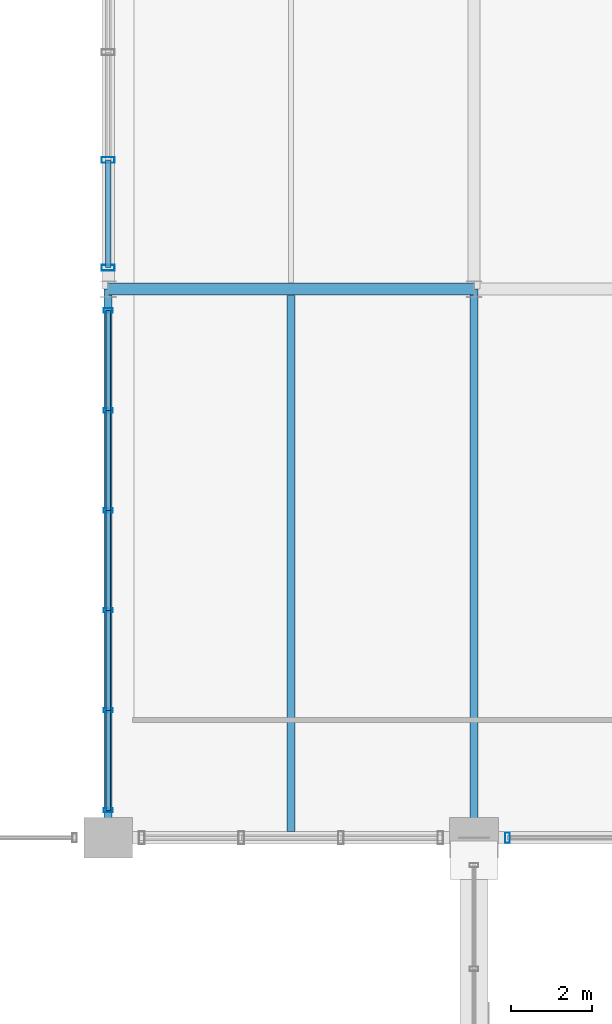
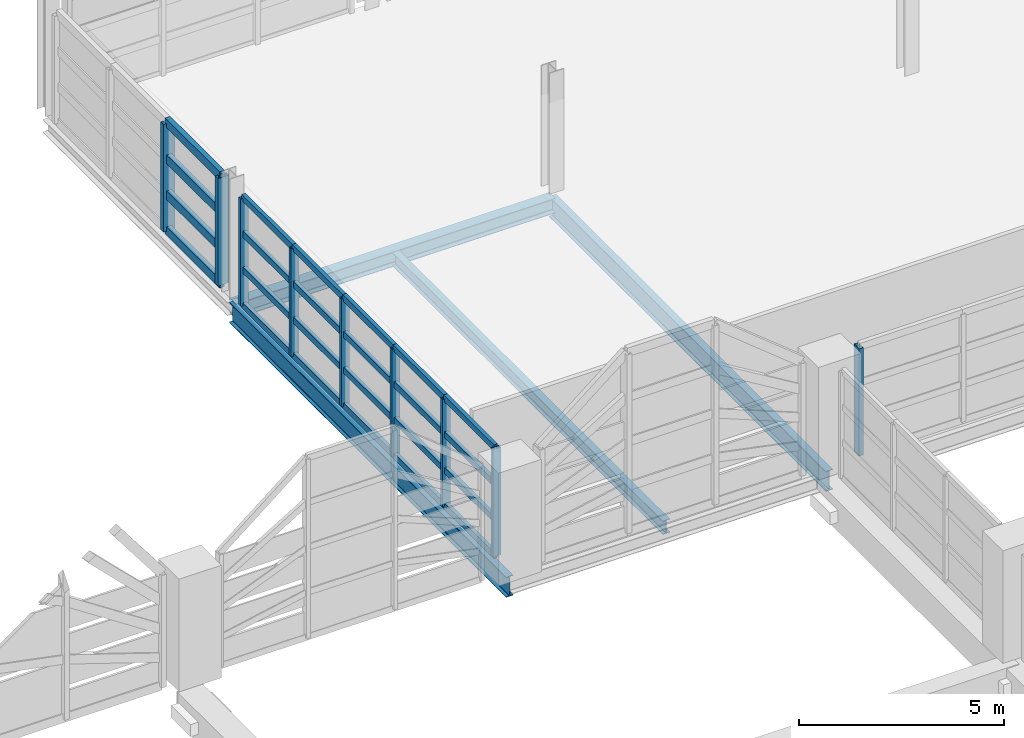
# One storey, part 55 of 116: 33 members, 4 beams, 3 elements without a shape of their own.
"""IFC4 building model written with IfcOpenShell, lengths in metres."""

from ifc_helpers import new_model, si_unit, direction, frame, origin, origin_2d, place, context, subcontext, project, spatial, hollow_rectangle, i_section, extrude, material, material_profile, profile_set, type_object, element, aggregate, save


model = new_model("IFC4")

# Units and contexts
model_context = context("Model", 3, precision=1e-05, world=origin(), true_north=direction((0.0, 1.0)))
body_context = subcontext(model_context, "Body", "Model", "MODEL_VIEW")
ifc_project = project(units=[si_unit("LENGTHUNIT", "METRE"), si_unit("AREAUNIT", "SQUARE_METRE"), si_unit("VOLUMEUNIT", "CUBIC_METRE"), si_unit("PLANEANGLEUNIT", "RADIAN"), si_unit("MASSUNIT", "GRAM", prefix="KILO")], contexts=[model_context])

# Site, building, storey
site_placement = place(None, origin())
site = spatial("IfcSite", under=ifc_project, at=site_placement, CompositionType="ELEMENT")
building_placement = place(site_placement, origin())
building = spatial("IfcBuilding", under=site, at=building_placement, Name="Chuanluo Vaults Station", CompositionType="ELEMENT")
storey_placement = place(building_placement, frame((0.0, 0.0, 10.800048828125)))
storey = spatial("IfcBuildingStorey", under=building, at=storey_placement, Name="L02", CompositionType="ELEMENT", Elevation=10.800048828125)

# Beams
ifc_material_1 = material(Name="Steel Q355C", Category="steel")
ifc_material_profile_1 = material_profile(ifc_material_1, i_section(OverallWidth=0.300048828125, OverallDepth=0.43994140625, WebThickness=0.010986328125, FlangeThickness=0.01806640625, FilletRadius=0.02001953125, at=origin_2d()))
ifc_profile_set_1 = profile_set([ifc_material_profile_1], Name="Steel Q355C")
beam_type_1 = type_object("IfcBeamType", Name="BM-GRD-450", PredefinedType="USERDEFINED", material=ifc_profile_set_1)
beam_1_placement = place(storey_placement, frame((117.0, 117.0, -0.43994140625), z_axis=(1.0, 0.0, 0.0), x_axis=(0.0, 1.0, 0.0)))
element("IfcBeam", 1, at=beam_1_placement, inside=storey, type_object=beam_type_1, Name="Floor girder BM:GX:L02:0605", ObjectType="GIRDER", PredefinedType="USERDEFINED", context=body_context, shape_type="SweptSolid", body=[
    extrude(i_section(OverallWidth=0.300048828125, OverallDepth=0.43994140625, WebThickness=0.010986328125, FlangeThickness=0.01806640625, FilletRadius=0.02001953125, at=origin_2d()), origin(), (0.0, 0.0, 1.0), 9.0),
])
ifc_material_2 = material(Name="Steel Q355C", Category="steel")
ifc_material_profile_2 = material_profile(ifc_material_2, i_section(OverallWidth=0.199951171875, OverallDepth=0.60009765625, WebThickness=0.010986328125, FlangeThickness=0.01708984375, FilletRadius=0.01806640625, at=origin_2d()))
ifc_profile_set_2 = profile_set([ifc_material_profile_2], Name="Steel Q355C")
beam_type_2 = type_object("IfcBeamType", Name="BM-GRD-600", PredefinedType="USERDEFINED", material=ifc_profile_set_2)
for number, where, z_axis, x_axis, name in (
    (2, (117.0, 103.5, -0.52001953125), (0.0, 1.0, 0.0), (-1.0, 0.0, 0.0), "Floor girder BM:GY:L02:0630"),
    (3, (126.0, 103.5, -0.52001953125), (0.0, 1.0, 0.0), (-1.0, 0.0, 0.0), "Floor girder BM:GY:L02:0632"),
):
    element("IfcBeam", number, at=place(storey_placement, frame(where, z_axis=z_axis, x_axis=x_axis)), inside=storey, type_object=beam_type_2, Name=name, ObjectType="GIRDER", PredefinedType="USERDEFINED", context=body_context, shape_type="SweptSolid", body=[
        extrude(i_section(OverallWidth=0.199951171875, OverallDepth=0.60009765625, WebThickness=0.010986328125, FlangeThickness=0.01708984375, FilletRadius=0.01806640625, at=origin_2d()), origin(), (0.0, 0.0, 1.0), 13.5),
    ])
ifc_material_3 = material(Name="Steel Q355C", Category="steel")
ifc_material_profile_3 = material_profile(ifc_material_3, i_section(OverallWidth=0.199951171875, OverallDepth=0.39990234375, WebThickness=0.008056640625, FlangeThickness=0.012939453125, FilletRadius=0.01611328125, at=origin_2d()))
ifc_profile_set_3 = profile_set([ifc_material_profile_3], Name="Steel Q355C")
beam_type_3 = type_object("IfcBeamType", Name="BM-SEC-400", PredefinedType="BEAM", material=ifc_profile_set_3)
beam_2_placement = place(storey_placement, frame((121.5, 103.655029296875, -0.420166015625), z_axis=(0.0, 1.0, 0.0), x_axis=(-1.0, 0.0, 0.0)))
element("IfcBeam", 4, at=beam_2_placement, inside=storey, type_object=beam_type_3, Name="Composite secondary joist 0189", PredefinedType="BEAM", context=body_context, shape_type="SweptSolid", body=[
    extrude(i_section(OverallWidth=0.199951171875, OverallDepth=0.39990234375, WebThickness=0.008056640625, FlangeThickness=0.012939453125, FilletRadius=0.01611328125, at=origin_2d()), origin(), (0.0, 0.0, 1.0), 13.18994140625),
])

# Curtain wall, members
ifc_material_4 = material(Name="Anodised aluminium 6063-T6", Category="aluminium")
curtain_wall_type_1 = type_object("IfcCurtainWallType", Name="CW-SYS-08", PredefinedType="NOTDEFINED", material=ifc_material_4)
curtain_wall_1_placement = place(storey_placement, origin())
curtain_wall_1 = element("IfcCurtainWall", 5, at=curtain_wall_1_placement, inside=storey, type_object=curtain_wall_type_1, Name="Operations L02 facade CW", PredefinedType="NOTDEFINED")
ifc_material_5 = material(Name="Anodised aluminium 6063-T6", Category="aluminium")
ifc_material_profile_4 = material_profile(ifc_material_5, hollow_rectangle(XDim=0.10498046875, YDim=0.219970703125, WallThickness=0.006103515625, at=origin_2d()))
ifc_profile_set_4 = profile_set([ifc_material_profile_4], Name="Anodised aluminium 6063-T6")
member_type_1 = type_object("IfcMemberType", Name="CWM-140", PredefinedType="MULLION", material=ifc_profile_set_4)
member_1_placement = place(storey_placement, frame((117.0, 104.175048828125, 0.0), z_axis=(0.0, 0.0, 1.0), x_axis=(0.0, 1.0, 0.0)))
member_1 = element("IfcMember", 6, at=member_1_placement, type_object=member_type_1, Name="Operations L02 facade CW mullion 1", PredefinedType="MULLION", context=body_context, shape_type="SweptSolid", body=[
    extrude(hollow_rectangle(XDim=0.10498046875, YDim=0.219970703125, WallThickness=0.006103515625, at=origin_2d()), origin(), (0.0, 0.0, 1.0), 3.199951171875),
])
member_2_placement = place(storey_placement, frame((117.0, 106.635009765625, 0.0), z_axis=(0.0, 0.0, 1.0), x_axis=(0.0, 1.0, 0.0)))
member_2 = element("IfcMember", 7, at=member_2_placement, type_object=member_type_1, Name="Operations L02 facade CW mullion 2", PredefinedType="MULLION", context=body_context, shape_type="SweptSolid", body=[
    extrude(hollow_rectangle(XDim=0.10498046875, YDim=0.219970703125, WallThickness=0.006103515625, at=origin_2d()), origin(), (0.0, 0.0, 1.0), 3.199951171875),
])
member_3_placement = place(storey_placement, frame((117.0, 109.094970703125, 0.0), z_axis=(0.0, 0.0, 1.0), x_axis=(0.0, 1.0, 0.0)))
member_3 = element("IfcMember", 8, at=member_3_placement, type_object=member_type_1, Name="Operations L02 facade CW mullion 3", PredefinedType="MULLION", context=body_context, shape_type="SweptSolid", body=[
    extrude(hollow_rectangle(XDim=0.10498046875, YDim=0.219970703125, WallThickness=0.006103515625, at=origin_2d()), origin(), (0.0, 0.0, 1.0), 3.199951171875),
])
member_4_placement = place(storey_placement, frame((117.0, 111.554931640625, 0.0), z_axis=(0.0, 0.0, 1.0), x_axis=(0.0, 1.0, 0.0)))
member_4 = element("IfcMember", 9, at=member_4_placement, type_object=member_type_1, Name="Operations L02 facade CW mullion 4", PredefinedType="MULLION", context=body_context, shape_type="SweptSolid", body=[
    extrude(hollow_rectangle(XDim=0.10498046875, YDim=0.219970703125, WallThickness=0.006103515625, at=origin_2d()), origin(), (0.0, 0.0, 1.0), 3.199951171875),
])
member_5_placement = place(storey_placement, frame((117.0, 114.014892578125, 0.0), z_axis=(0.0, 0.0, 1.0), x_axis=(0.0, 1.0, 0.0)))
member_5 = element("IfcMember", 10, at=member_5_placement, type_object=member_type_1, Name="Operations L02 facade CW mullion 5", PredefinedType="MULLION", context=body_context, shape_type="SweptSolid", body=[
    extrude(hollow_rectangle(XDim=0.10498046875, YDim=0.219970703125, WallThickness=0.006103515625, at=origin_2d()), origin(), (0.0, 0.0, 1.0), 3.199951171875),
])
member_6_placement = place(storey_placement, frame((117.0, 116.47509765625, 0.0), z_axis=(0.0, 0.0, 1.0), x_axis=(0.0, 1.0, 0.0)))
member_6 = element("IfcMember", 11, at=member_6_placement, type_object=member_type_1, Name="Operations L02 facade CW mullion 6", PredefinedType="MULLION", context=body_context, shape_type="SweptSolid", body=[
    extrude(hollow_rectangle(XDim=0.10498046875, YDim=0.219970703125, WallThickness=0.006103515625, at=origin_2d()), origin(), (0.0, 0.0, 1.0), 3.199951171875),
])

# Curtain wall, member
ifc_material_6 = material(Name="Anodised aluminium 6063-T6", Category="aluminium")
curtain_wall_type_2 = type_object("IfcCurtainWallType", Name="CW-SYS-07", PredefinedType="NOTDEFINED", material=ifc_material_6)
curtain_wall_2_placement = place(storey_placement, origin())
curtain_wall_2 = element("IfcCurtainWall", 12, at=curtain_wall_2_placement, inside=storey, type_object=curtain_wall_type_2, Name="Operations L02 facade CW part 2", PredefinedType="NOTDEFINED")
ifc_material_7 = material(Name="Anodised aluminium 6063-T6", Category="aluminium")
ifc_material_profile_5 = material_profile(ifc_material_7, hollow_rectangle(XDim=0.1201171875, YDim=0.25, WallThickness=0.006103515625, at=origin_2d()))
ifc_profile_set_5 = profile_set([ifc_material_profile_5], Name="Anodised aluminium 6063-T6")
member_type_2 = type_object("IfcMemberType", Name="CWM-160", PredefinedType="MULLION", material=ifc_profile_set_5)
member_7_placement = place(storey_placement, frame((126.824951171875, 103.5, 0.0), z_axis=(0.0, 0.0, 1.0), x_axis=(-1.0, 0.0, 0.0)))
member_7 = element("IfcMember", 13, at=member_7_placement, type_object=member_type_2, Name="Operations L02 facade CW part 2 mullion 4", PredefinedType="MULLION", context=body_context, shape_type="SweptSolid", body=[
    extrude(hollow_rectangle(XDim=0.1201171875, YDim=0.25, WallThickness=0.006103515625, at=origin_2d()), origin(), (0.0, 0.0, 1.0), 3.199951171875),
])
aggregate(curtain_wall_2, [member_7])

# Curtain wall, members
ifc_material_8 = material(Name="Anodised aluminium 6063-T6", Category="aluminium")
curtain_wall_type_3 = type_object("IfcCurtainWallType", Name="CW-SYS-09", PredefinedType="NOTDEFINED", material=ifc_material_8)
curtain_wall_3_placement = place(storey_placement, origin())
curtain_wall_3 = element("IfcCurtainWall", 14, at=curtain_wall_3_placement, inside=storey, type_object=curtain_wall_type_3, Name="Operations L02 facade CW", PredefinedType="NOTDEFINED")
ifc_material_9 = material(Name="Anodised aluminium 6063-T6", Category="aluminium")
ifc_material_profile_6 = material_profile(ifc_material_9, hollow_rectangle(XDim=0.139892578125, YDim=0.320068359375, WallThickness=0.008056640625, at=origin_2d()))
ifc_profile_set_6 = profile_set([ifc_material_profile_6], Name="Anodised aluminium 6063-T6")
member_type_3 = type_object("IfcMemberType", Name="CWM-220", PredefinedType="MULLION", material=ifc_profile_set_6)
member_8_placement = place(storey_placement, frame((117.0, 117.52490234375, 0.0), z_axis=(0.0, 0.0, 1.0), x_axis=(0.0, 1.0, 0.0)))
member_8 = element("IfcMember", 15, at=member_8_placement, type_object=member_type_3, Name="Operations L02 facade CW mullion 1", PredefinedType="MULLION", context=body_context, shape_type="SweptSolid", body=[
    extrude(hollow_rectangle(XDim=0.139892578125, YDim=0.320068359375, WallThickness=0.008056640625, at=origin_2d()), origin(), (0.0, 0.0, 1.0), 3.199951171875),
])
member_9_placement = place(storey_placement, frame((117.0, 120.175048828125, 0.0), z_axis=(0.0, 0.0, 1.0), x_axis=(0.0, 1.0, 0.0)))
member_9 = element("IfcMember", 16, at=member_9_placement, type_object=member_type_3, Name="Operations L02 facade CW mullion 2", PredefinedType="MULLION", context=body_context, shape_type="SweptSolid", body=[
    extrude(hollow_rectangle(XDim=0.139892578125, YDim=0.320068359375, WallThickness=0.008056640625, at=origin_2d()), origin(), (0.0, 0.0, 1.0), 3.199951171875),
])

# Member
ifc_material_10 = material(Name="Anodised aluminium 6063-T6", Category="aluminium")
ifc_material_profile_7 = material_profile(ifc_material_10, hollow_rectangle(XDim=0.10498046875, YDim=0.18505859375, WallThickness=0.0048828125, at=origin_2d()))
ifc_profile_set_7 = profile_set([ifc_material_profile_7], Name="Anodised aluminium 6063-T6")
member_type_4 = type_object("IfcMemberType", Name="CWT-110", PredefinedType="USERDEFINED", material=ifc_profile_set_7)
member_10_placement = place(storey_placement, frame((117.0, 104.175048828125, 0.0), z_axis=(0.0, 1.0, 0.0), x_axis=(-1.0, 0.0, 0.0)))
member_10 = element("IfcMember", 17, at=member_10_placement, type_object=member_type_4, Name="Operations L02 facade CW transom 1.1", ObjectType="TRANSOM", PredefinedType="USERDEFINED", context=body_context, shape_type="SweptSolid", body=[
    extrude(hollow_rectangle(XDim=0.10498046875, YDim=0.18505859375, WallThickness=0.0048828125, at=origin_2d()), origin(), (0.0, 0.0, 1.0), 2.4599609375),
])

member_11_placement = place(storey_placement, frame((117.0, 104.175048828125, 1.066650390625), z_axis=(0.0, 1.0, 0.0), x_axis=(-1.0, 0.0, 0.0)))
member_11 = element("IfcMember", 18, at=member_11_placement, type_object=member_type_4, Name="Operations L02 facade CW transom 1.2", ObjectType="TRANSOM", PredefinedType="USERDEFINED", context=body_context, shape_type="SweptSolid", body=[
    extrude(hollow_rectangle(XDim=0.10498046875, YDim=0.18505859375, WallThickness=0.0048828125, at=origin_2d()), origin(), (0.0, 0.0, 1.0), 2.4599609375),
])

member_12_placement = place(storey_placement, frame((117.0, 104.175048828125, 2.13330078125), z_axis=(0.0, 1.0, 0.0), x_axis=(-1.0, 0.0, 0.0)))
member_12 = element("IfcMember", 19, at=member_12_placement, type_object=member_type_4, Name="Operations L02 facade CW transom 1.3", ObjectType="TRANSOM", PredefinedType="USERDEFINED", context=body_context, shape_type="SweptSolid", body=[
    extrude(hollow_rectangle(XDim=0.10498046875, YDim=0.18505859375, WallThickness=0.0048828125, at=origin_2d()), origin(), (0.0, 0.0, 1.0), 2.4599609375),
])

member_13_placement = place(storey_placement, frame((117.0, 104.175048828125, 3.199951171875), z_axis=(0.0, 1.0, 0.0), x_axis=(-1.0, 0.0, 0.0)))
member_13 = element("IfcMember", 20, at=member_13_placement, type_object=member_type_4, Name="Operations L02 facade CW transom 1.4", ObjectType="TRANSOM", PredefinedType="USERDEFINED", context=body_context, shape_type="SweptSolid", body=[
    extrude(hollow_rectangle(XDim=0.10498046875, YDim=0.18505859375, WallThickness=0.0048828125, at=origin_2d()), origin(), (0.0, 0.0, 1.0), 2.4599609375),
])

member_14_placement = place(storey_placement, frame((117.0, 106.635009765625, 0.0), z_axis=(0.0, 1.0, 0.0), x_axis=(-1.0, 0.0, 0.0)))
member_14 = element("IfcMember", 21, at=member_14_placement, type_object=member_type_4, Name="Operations L02 facade CW transom 2.1", ObjectType="TRANSOM", PredefinedType="USERDEFINED", context=body_context, shape_type="SweptSolid", body=[
    extrude(hollow_rectangle(XDim=0.10498046875, YDim=0.18505859375, WallThickness=0.0048828125, at=origin_2d()), origin(), (0.0, 0.0, 1.0), 2.4599609375),
])

member_15_placement = place(storey_placement, frame((117.0, 106.635009765625, 1.066650390625), z_axis=(0.0, 1.0, 0.0), x_axis=(-1.0, 0.0, 0.0)))
member_15 = element("IfcMember", 22, at=member_15_placement, type_object=member_type_4, Name="Operations L02 facade CW transom 2.2", ObjectType="TRANSOM", PredefinedType="USERDEFINED", context=body_context, shape_type="SweptSolid", body=[
    extrude(hollow_rectangle(XDim=0.10498046875, YDim=0.18505859375, WallThickness=0.0048828125, at=origin_2d()), origin(), (0.0, 0.0, 1.0), 2.4599609375),
])

member_16_placement = place(storey_placement, frame((117.0, 106.635009765625, 2.13330078125), z_axis=(0.0, 1.0, 0.0), x_axis=(-1.0, 0.0, 0.0)))
member_16 = element("IfcMember", 23, at=member_16_placement, type_object=member_type_4, Name="Operations L02 facade CW transom 2.3", ObjectType="TRANSOM", PredefinedType="USERDEFINED", context=body_context, shape_type="SweptSolid", body=[
    extrude(hollow_rectangle(XDim=0.10498046875, YDim=0.18505859375, WallThickness=0.0048828125, at=origin_2d()), origin(), (0.0, 0.0, 1.0), 2.4599609375),
])

member_17_placement = place(storey_placement, frame((117.0, 106.635009765625, 3.199951171875), z_axis=(0.0, 1.0, 0.0), x_axis=(-1.0, 0.0, 0.0)))
member_17 = element("IfcMember", 24, at=member_17_placement, type_object=member_type_4, Name="Operations L02 facade CW transom 2.4", ObjectType="TRANSOM", PredefinedType="USERDEFINED", context=body_context, shape_type="SweptSolid", body=[
    extrude(hollow_rectangle(XDim=0.10498046875, YDim=0.18505859375, WallThickness=0.0048828125, at=origin_2d()), origin(), (0.0, 0.0, 1.0), 2.4599609375),
])

member_18_placement = place(storey_placement, frame((117.0, 109.094970703125, 0.0), z_axis=(0.0, 1.0, 0.0), x_axis=(-1.0, 0.0, 0.0)))
member_18 = element("IfcMember", 25, at=member_18_placement, type_object=member_type_4, Name="Operations L02 facade CW transom 3.1", ObjectType="TRANSOM", PredefinedType="USERDEFINED", context=body_context, shape_type="SweptSolid", body=[
    extrude(hollow_rectangle(XDim=0.10498046875, YDim=0.18505859375, WallThickness=0.0048828125, at=origin_2d()), origin(), (0.0, 0.0, 1.0), 2.4599609375),
])

member_19_placement = place(storey_placement, frame((117.0, 109.094970703125, 1.066650390625), z_axis=(0.0, 1.0, 0.0), x_axis=(-1.0, 0.0, 0.0)))
member_19 = element("IfcMember", 26, at=member_19_placement, type_object=member_type_4, Name="Operations L02 facade CW transom 3.2", ObjectType="TRANSOM", PredefinedType="USERDEFINED", context=body_context, shape_type="SweptSolid", body=[
    extrude(hollow_rectangle(XDim=0.10498046875, YDim=0.18505859375, WallThickness=0.0048828125, at=origin_2d()), origin(), (0.0, 0.0, 1.0), 2.4599609375),
])

member_20_placement = place(storey_placement, frame((117.0, 109.094970703125, 2.13330078125), z_axis=(0.0, 1.0, 0.0), x_axis=(-1.0, 0.0, 0.0)))
member_20 = element("IfcMember", 27, at=member_20_placement, type_object=member_type_4, Name="Operations L02 facade CW transom 3.3", ObjectType="TRANSOM", PredefinedType="USERDEFINED", context=body_context, shape_type="SweptSolid", body=[
    extrude(hollow_rectangle(XDim=0.10498046875, YDim=0.18505859375, WallThickness=0.0048828125, at=origin_2d()), origin(), (0.0, 0.0, 1.0), 2.4599609375),
])

member_21_placement = place(storey_placement, frame((117.0, 109.094970703125, 3.199951171875), z_axis=(0.0, 1.0, 0.0), x_axis=(-1.0, 0.0, 0.0)))
member_21 = element("IfcMember", 28, at=member_21_placement, type_object=member_type_4, Name="Operations L02 facade CW transom 3.4", ObjectType="TRANSOM", PredefinedType="USERDEFINED", context=body_context, shape_type="SweptSolid", body=[
    extrude(hollow_rectangle(XDim=0.10498046875, YDim=0.18505859375, WallThickness=0.0048828125, at=origin_2d()), origin(), (0.0, 0.0, 1.0), 2.4599609375),
])

member_22_placement = place(storey_placement, frame((117.0, 111.554931640625, 0.0), z_axis=(0.0, 1.0, 0.0), x_axis=(-1.0, 0.0, 0.0)))
member_22 = element("IfcMember", 29, at=member_22_placement, type_object=member_type_4, Name="Operations L02 facade CW transom 4.1", ObjectType="TRANSOM", PredefinedType="USERDEFINED", context=body_context, shape_type="SweptSolid", body=[
    extrude(hollow_rectangle(XDim=0.10498046875, YDim=0.18505859375, WallThickness=0.0048828125, at=origin_2d()), origin(), (0.0, 0.0, 1.0), 2.4599609375),
])

member_23_placement = place(storey_placement, frame((117.0, 111.554931640625, 1.066650390625), z_axis=(0.0, 1.0, 0.0), x_axis=(-1.0, 0.0, 0.0)))
member_23 = element("IfcMember", 30, at=member_23_placement, type_object=member_type_4, Name="Operations L02 facade CW transom 4.2", ObjectType="TRANSOM", PredefinedType="USERDEFINED", context=body_context, shape_type="SweptSolid", body=[
    extrude(hollow_rectangle(XDim=0.10498046875, YDim=0.18505859375, WallThickness=0.0048828125, at=origin_2d()), origin(), (0.0, 0.0, 1.0), 2.4599609375),
])

member_24_placement = place(storey_placement, frame((117.0, 111.554931640625, 2.13330078125), z_axis=(0.0, 1.0, 0.0), x_axis=(-1.0, 0.0, 0.0)))
member_24 = element("IfcMember", 31, at=member_24_placement, type_object=member_type_4, Name="Operations L02 facade CW transom 4.3", ObjectType="TRANSOM", PredefinedType="USERDEFINED", context=body_context, shape_type="SweptSolid", body=[
    extrude(hollow_rectangle(XDim=0.10498046875, YDim=0.18505859375, WallThickness=0.0048828125, at=origin_2d()), origin(), (0.0, 0.0, 1.0), 2.4599609375),
])

member_25_placement = place(storey_placement, frame((117.0, 111.554931640625, 3.199951171875), z_axis=(0.0, 1.0, 0.0), x_axis=(-1.0, 0.0, 0.0)))
member_25 = element("IfcMember", 32, at=member_25_placement, type_object=member_type_4, Name="Operations L02 facade CW transom 4.4", ObjectType="TRANSOM", PredefinedType="USERDEFINED", context=body_context, shape_type="SweptSolid", body=[
    extrude(hollow_rectangle(XDim=0.10498046875, YDim=0.18505859375, WallThickness=0.0048828125, at=origin_2d()), origin(), (0.0, 0.0, 1.0), 2.4599609375),
])

member_26_placement = place(storey_placement, frame((117.0, 114.014892578125, 0.0), z_axis=(0.0, 1.0, 0.0), x_axis=(-1.0, 0.0, 0.0)))
member_26 = element("IfcMember", 33, at=member_26_placement, type_object=member_type_4, Name="Operations L02 facade CW transom 5.1", ObjectType="TRANSOM", PredefinedType="USERDEFINED", context=body_context, shape_type="SweptSolid", body=[
    extrude(hollow_rectangle(XDim=0.10498046875, YDim=0.18505859375, WallThickness=0.0048828125, at=origin_2d()), origin(), (0.0, 0.0, 1.0), 2.460205078125),
])

member_27_placement = place(storey_placement, frame((117.0, 114.014892578125, 1.066650390625), z_axis=(0.0, 1.0, 0.0), x_axis=(-1.0, 0.0, 0.0)))
member_27 = element("IfcMember", 34, at=member_27_placement, type_object=member_type_4, Name="Operations L02 facade CW transom 5.2", ObjectType="TRANSOM", PredefinedType="USERDEFINED", context=body_context, shape_type="SweptSolid", body=[
    extrude(hollow_rectangle(XDim=0.10498046875, YDim=0.18505859375, WallThickness=0.0048828125, at=origin_2d()), origin(), (0.0, 0.0, 1.0), 2.460205078125),
])

member_28_placement = place(storey_placement, frame((117.0, 114.014892578125, 2.13330078125), z_axis=(0.0, 1.0, 0.0), x_axis=(-1.0, 0.0, 0.0)))
member_28 = element("IfcMember", 35, at=member_28_placement, type_object=member_type_4, Name="Operations L02 facade CW transom 5.3", ObjectType="TRANSOM", PredefinedType="USERDEFINED", context=body_context, shape_type="SweptSolid", body=[
    extrude(hollow_rectangle(XDim=0.10498046875, YDim=0.18505859375, WallThickness=0.0048828125, at=origin_2d()), origin(), (0.0, 0.0, 1.0), 2.460205078125),
])

member_29_placement = place(storey_placement, frame((117.0, 114.014892578125, 3.199951171875), z_axis=(0.0, 1.0, 0.0), x_axis=(-1.0, 0.0, 0.0)))
member_29 = element("IfcMember", 36, at=member_29_placement, type_object=member_type_4, Name="Operations L02 facade CW transom 5.4", ObjectType="TRANSOM", PredefinedType="USERDEFINED", context=body_context, shape_type="SweptSolid", body=[
    extrude(hollow_rectangle(XDim=0.10498046875, YDim=0.18505859375, WallThickness=0.0048828125, at=origin_2d()), origin(), (0.0, 0.0, 1.0), 2.460205078125),
])

aggregate(curtain_wall_1, [member_1, member_2, member_3, member_4, member_5, member_6, member_10, member_11, member_12, member_13, member_14, member_15, member_16, member_17, member_18, member_19, member_20, member_21, member_22, member_23, member_24, member_25, member_26, member_27, member_28, member_29])

ifc_material_11 = material(Name="Anodised aluminium 6063-T6", Category="aluminium")
ifc_material_profile_8 = material_profile(ifc_material_11, hollow_rectangle(XDim=0.139892578125, YDim=0.260009765625, WallThickness=0.007080078125, at=origin_2d()))
ifc_profile_set_8 = profile_set([ifc_material_profile_8], Name="Anodised aluminium 6063-T6")
member_type_5 = type_object("IfcMemberType", Name="CWT-180", PredefinedType="USERDEFINED", material=ifc_profile_set_8)
member_30_placement = place(storey_placement, frame((117.0, 117.52490234375, 0.0), z_axis=(0.0, 1.0, 0.0), x_axis=(-1.0, 0.0, 0.0)))
member_30 = element("IfcMember", 37, at=member_30_placement, type_object=member_type_5, Name="Operations L02 facade CW transom 1.1", ObjectType="TRANSOM", PredefinedType="USERDEFINED", context=body_context, shape_type="SweptSolid", body=[
    extrude(hollow_rectangle(XDim=0.139892578125, YDim=0.260009765625, WallThickness=0.007080078125, at=origin_2d()), origin(), (0.0, 0.0, 1.0), 2.650146484375),
])

member_31_placement = place(storey_placement, frame((117.0, 117.52490234375, 1.066650390625), z_axis=(0.0, 1.0, 0.0), x_axis=(-1.0, 0.0, 0.0)))
member_31 = element("IfcMember", 38, at=member_31_placement, type_object=member_type_5, Name="Operations L02 facade CW transom 1.2", ObjectType="TRANSOM", PredefinedType="USERDEFINED", context=body_context, shape_type="SweptSolid", body=[
    extrude(hollow_rectangle(XDim=0.139892578125, YDim=0.260009765625, WallThickness=0.007080078125, at=origin_2d()), origin(), (0.0, 0.0, 1.0), 2.650146484375),
])

member_32_placement = place(storey_placement, frame((117.0, 117.52490234375, 2.13330078125), z_axis=(0.0, 1.0, 0.0), x_axis=(-1.0, 0.0, 0.0)))
member_32 = element("IfcMember", 39, at=member_32_placement, type_object=member_type_5, Name="Operations L02 facade CW transom 1.3", ObjectType="TRANSOM", PredefinedType="USERDEFINED", context=body_context, shape_type="SweptSolid", body=[
    extrude(hollow_rectangle(XDim=0.139892578125, YDim=0.260009765625, WallThickness=0.007080078125, at=origin_2d()), origin(), (0.0, 0.0, 1.0), 2.650146484375),
])

member_33_placement = place(storey_placement, frame((117.0, 117.52490234375, 3.199951171875), z_axis=(0.0, 1.0, 0.0), x_axis=(-1.0, 0.0, 0.0)))
member_33 = element("IfcMember", 40, at=member_33_placement, type_object=member_type_5, Name="Operations L02 facade CW transom 1.4", ObjectType="TRANSOM", PredefinedType="USERDEFINED", context=body_context, shape_type="SweptSolid", body=[
    extrude(hollow_rectangle(XDim=0.139892578125, YDim=0.260009765625, WallThickness=0.007080078125, at=origin_2d()), origin(), (0.0, 0.0, 1.0), 2.650146484375),
])

aggregate(curtain_wall_3, [member_8, member_9, member_30, member_31, member_32, member_33])

save(model, "model.ifc")
